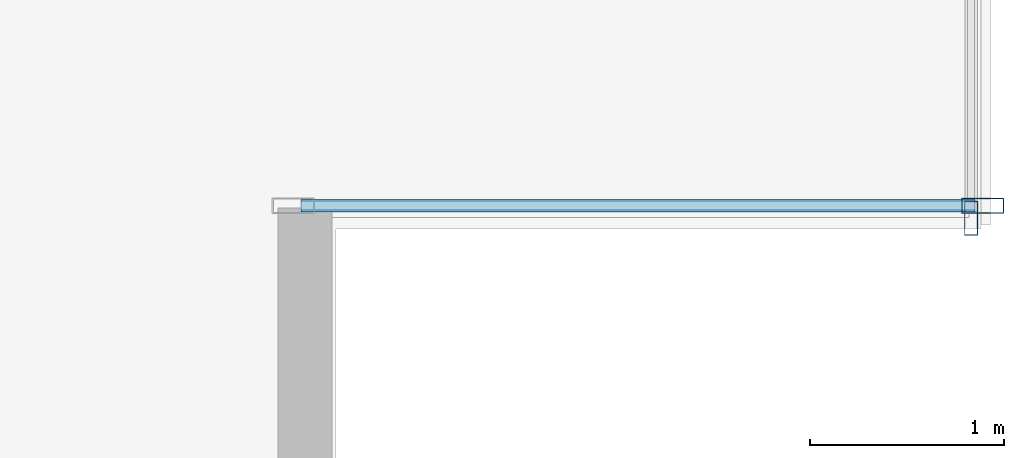
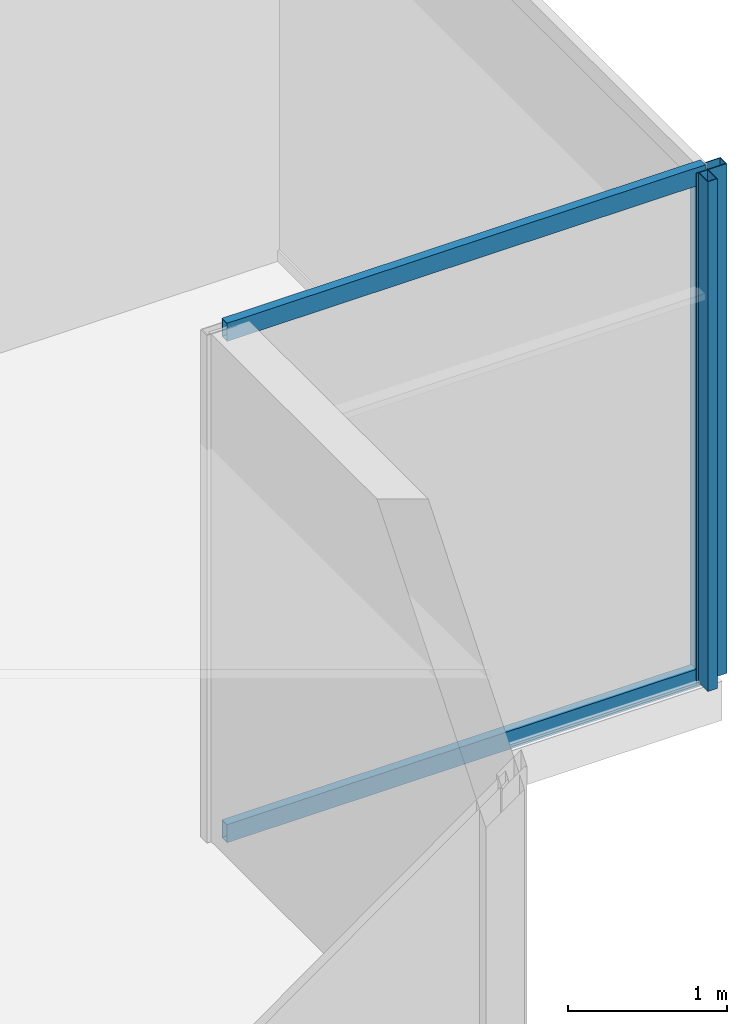
# One storey, part 15 of 34: 4 members, 2 elements without a shape of their own.
"""IFC4 building model written with IfcOpenShell, lengths in metres."""

import ifcopenshell
import ifcopenshell.guid

model = None  # the IFC model being written
_history = None  # IfcOwnerHistory: only IFC2X3 demands one
_inside = {}  # id of a spatial element -> (the spatial element, [elements in it])
_under = {}  # id of a project, library or spatial element -> (it, [spatial elements below it])
_declared = {}  # id of a project -> (the project, [libraries it declares])
_typed = {}  # id of a type object -> (the type object, [elements of that type])
_made_of = {}  # id of a material, layer set ... -> (it, [elements and type objects made of it])


def new_model(schema):
    """Start an empty IFC model of exactly this schema.

    Asked for "IFC4X3", IfcOpenShell would pick the latest addendum, in which some entities
    have other attributes; the version numbers below select the first issue.
    IFC2X3 requires an IfcOwnerHistory on every rooted entity: one is made here for all.
    """
    global model, _history
    if schema == "IFC4X3":
        model = ifcopenshell.file(schema_version=(4, 3, 0, 0))
    else:
        model = ifcopenshell.file(schema=schema)
    _inside.clear()
    _under.clear()
    _declared.clear()
    _typed.clear()
    _made_of.clear()
    _history = None
    if model.schema == "IFC2X3":
        org = make("IfcOrganization", Name="unknown")
        user = make(
            "IfcPersonAndOrganization",
            ThePerson=make("IfcPerson", FamilyName="unknown"),
            TheOrganization=org,
        )
        app = make(
            "IfcApplication",
            ApplicationDeveloper=org,
            Version="unknown",
            ApplicationFullName="unknown",
            ApplicationIdentifier="unknown",
        )
        _history = make(
            "IfcOwnerHistory",
            OwningUser=user,
            OwningApplication=app,
            ChangeAction="ADDED",
            CreationDate=0,
        )
    return model


def make(cls, **values):
    """One entity of the class cls with the attributes given. An attribute that is None is left unset."""
    return model.create_entity(
        cls, **{name: value for name, value in values.items() if value is not None}
    )


def rooted(cls, **values):
    """An entity with a GlobalId (a new one), such as an element, a storey or a relation."""
    return make(cls, GlobalId=ifcopenshell.guid.new(), OwnerHistory=_history, **values)


def si_unit(unit_type, name, prefix=None):
    """IfcSIUnit, for example si_unit("LENGTHUNIT", "METRE", prefix="MILLI")."""
    return make("IfcSIUnit", UnitType=unit_type, Prefix=prefix, Name=name)


def assignment(units):
    """IfcUnitAssignment: the units of a project."""
    return None if units is None else make("IfcUnitAssignment", Units=units)


def point(xyz):
    """IfcCartesianPoint."""
    return None if xyz is None else make("IfcCartesianPoint", Coordinates=xyz)


def direction(xyz):
    """IfcDirection."""
    return None if xyz is None else make("IfcDirection", DirectionRatios=xyz)


def frame(location, z_axis=None, x_axis=None):
    """IfcAxis2Placement3D, a coordinate frame: its origin and axes. An axis left out is left unset."""
    return make(
        "IfcAxis2Placement3D",
        Location=point(location),
        Axis=direction(z_axis),
        RefDirection=direction(x_axis),
    )


def frame_2d(location, x_axis=None):
    """IfcAxis2Placement2D, a coordinate frame in the plane: its origin and x axis."""
    return make(
        "IfcAxis2Placement2D", Location=point(location), RefDirection=direction(x_axis)
    )


def origin():
    """The frame at (0, 0, 0) with its axes left unset."""
    return frame((0.0, 0.0, 0.0))


def origin_2d():
    """The frame at (0, 0) in the plane with its x axis left unset."""
    return frame_2d((0.0, 0.0))


def place(relative_to, where):
    """IfcLocalPlacement: puts the frame where relative to a parent placement (None: the world)."""
    return make(
        "IfcLocalPlacement", PlacementRelTo=relative_to, RelativePlacement=where
    )


def context(
    kind, dimensions, precision=None, world=None, true_north=None, identifier=None
):
    """IfcGeometricRepresentationContext, for example the 3D "Model" context."""
    return make(
        "IfcGeometricRepresentationContext",
        ContextIdentifier=identifier,
        ContextType=kind,
        CoordinateSpaceDimension=dimensions,
        Precision=precision,
        WorldCoordinateSystem=world,
        TrueNorth=true_north,
    )


def subcontext(parent, identifier, kind, view, scale=None):
    """IfcGeometricRepresentationSubContext, for example "Body" below "Model"."""
    return make(
        "IfcGeometricRepresentationSubContext",
        ContextIdentifier=identifier,
        ContextType=kind,
        ParentContext=parent,
        TargetScale=scale,
        TargetView=view,
    )


def project(units=None, contexts=None):
    """IfcProject with its units and contexts."""
    return rooted(
        "IfcProject",
        Name="project",
        RepresentationContexts=contexts,
        UnitsInContext=assignment(units),
    )


def spatial(cls, under=None, at=None, **own):
    """A site, building, storey or space (cls), placed at a placement, below another one or the project."""
    s = rooted(cls, ObjectPlacement=at, **own)
    if under is not None:
        _under.setdefault(under.id(), (under, []))[1].append(s)
    return s


def profile(cls, at=None, kind="AREA", **sizes):
    """A parametric profile (cls). Its sizes go by their IFC names, for example OverallWidth=200.0."""
    return make(cls, ProfileType=kind, Position=at, **sizes)


def hollow_rectangle(**sizes):
    """IfcRectangleHollowProfileDef."""
    return profile("IfcRectangleHollowProfileDef", **sizes)


def extrude(swept, where, along, depth):
    """IfcExtrudedAreaSolid: the profile swept, set in the frame where, extruded along a direction by depth."""
    return make(
        "IfcExtrudedAreaSolid",
        SweptArea=swept,
        Position=where,
        ExtrudedDirection=direction(along),
        Depth=depth,
    )


def shape(context_of_items, identifier, shape_type, items):
    """IfcShapeRepresentation: the items that make up one representation, for example the "Body"."""
    return make(
        "IfcShapeRepresentation",
        ContextOfItems=context_of_items,
        RepresentationIdentifier=identifier,
        RepresentationType=shape_type,
        Items=items,
    )


def source(mapping_origin, context_of_items, identifier, shape_type, items):
    """IfcRepresentationMap: a shape defined once, which mapped items show again and again."""
    return make(
        "IfcRepresentationMap",
        MappingOrigin=mapping_origin,
        MappedRepresentation=shape(context_of_items, identifier, shape_type, items),
    )


def transform(
    local_origin,
    x_axis=None,
    y_axis=None,
    z_axis=None,
    scale=None,
    scale2=None,
    scale3=None,
    uniform=True,
):
    """IfcCartesianTransformationOperator3D, or its non-uniform kind. x_axis, y_axis, z_axis: its Axis1, 2, 3."""
    if uniform:
        return make(
            "IfcCartesianTransformationOperator3D",
            Axis1=direction(x_axis),
            Axis2=direction(y_axis),
            LocalOrigin=point(local_origin),
            Scale=scale,
            Axis3=direction(z_axis),
        )
    return make(
        "IfcCartesianTransformationOperator3DnonUniform",
        Axis1=direction(x_axis),
        Axis2=direction(y_axis),
        LocalOrigin=point(local_origin),
        Scale=scale,
        Axis3=direction(z_axis),
        Scale2=scale2,
        Scale3=scale3,
    )


def mapped(mapping_source, mapping_target):
    """IfcMappedItem: shows the shape of a source again, moved by a transform."""
    return make(
        "IfcMappedItem", MappingSource=mapping_source, MappingTarget=mapping_target
    )


def material(Name=None, Category=None):
    """IfcMaterial."""
    return make("IfcMaterial", Name=Name, Category=Category)


def layer(
    of_material, thickness, ventilated=None, Name=None, Category=None, Priority=None
):
    """IfcMaterialLayer: one layer of a wall or slab, of a material (None: an air gap)."""
    return make(
        "IfcMaterialLayer",
        Material=of_material,
        LayerThickness=thickness,
        IsVentilated=ventilated,
        Name=Name,
        Category=Category,
        Priority=Priority,
    )


def layer_set(layers, Name=None):
    """IfcMaterialLayerSet."""
    return make("IfcMaterialLayerSet", MaterialLayers=layers, LayerSetName=Name)


def material_profile(
    of_material, cross_section, Name=None, Category=None, Priority=None
):
    """IfcMaterialProfile: a cross section and its material."""
    return make(
        "IfcMaterialProfile",
        Name=Name,
        Material=of_material,
        Profile=cross_section,
        Priority=Priority,
        Category=Category,
    )


def profile_set(profiles, Name=None, composite=None):
    """IfcMaterialProfileSet."""
    return make(
        "IfcMaterialProfileSet",
        Name=Name,
        MaterialProfiles=profiles,
        CompositeProfile=composite,
    )


def made_of(thing, what):
    """Note that an element or type object is made of a material, layer set ...; save() writes the relation."""
    if what is not None:
        _made_of.setdefault(what.id(), (what, []))[1].append(thing)
    return thing


def type_object(cls, material=None, **own):
    """A type object (cls), such as IfcWallType, which elements share."""
    return made_of(rooted(cls, **own), material)


def type_shapes(of_type, sources):
    """Give a type object the sources (RepresentationMaps) that its elements show as mapped items."""
    of_type.RepresentationMaps = sources


def element(
    cls,
    number,
    at=None,
    inside=None,
    cuts=None,
    type_object=None,
    material=None,
    context=None,
    identifier="Body",
    shape_type=None,
    held_by="IfcProductDefinitionShape",
    body=None,
    shapes=None,
    **own,
):
    """One element of the class cls, such as IfcWall. Its Tag is "e" and its number.

    at: its placement. inside: the storey or other place that contains it. cuts: it is an
    opening in that element (IfcRelVoidsElement). A single representation is given by context,
    identifier, shape_type and body (its items); several are given by shapes. held_by: the class
    of the entity that holds the representations. save() writes the other relations.
    """
    e = rooted(cls, Tag="e%d" % number, ObjectPlacement=at, **own)
    if body is not None:
        shapes = [shape(context, identifier, shape_type, body)]
    if shapes is not None:
        e.Representation = make(held_by, Representations=shapes)
    if inside is not None:
        _inside.setdefault(inside.id(), (inside, []))[1].append(e)
    if cuts is not None:
        rooted(
            "IfcRelVoidsElement", RelatingBuildingElement=cuts, RelatedOpeningElement=e
        )
    if type_object is not None:
        _typed.setdefault(type_object.id(), (type_object, []))[1].append(e)
    return made_of(e, material)


def aggregate(whole, parts):
    """IfcRelAggregates: a whole, such as a stair, and the parts it consists of."""
    return rooted("IfcRelAggregates", RelatingObject=whole, RelatedObjects=parts)


def save(model, path):
    """Write the relations noted so far, then the file.

    IfcRelAggregates (storeys below a building ...), IfcRelContainedInSpatialStructure (elements
    in a storey), IfcRelDefinesByType, IfcRelAssociatesMaterial and IfcRelDeclares: one each for
    every whole, place, type object, material and project.
    """
    for whole, parts in _under.values():
        aggregate(whole, parts)
    for where, things in _inside.values():
        rooted(
            "IfcRelContainedInSpatialStructure",
            RelatedElements=things,
            RelatingStructure=where,
        )
    for kind, things in _typed.values():
        rooted("IfcRelDefinesByType", RelatedObjects=things, RelatingType=kind)
    for what, things in _made_of.values():
        rooted("IfcRelAssociatesMaterial", RelatedObjects=things, RelatingMaterial=what)
    for by, libraries in _declared.values():
        rooted("IfcRelDeclares", RelatingContext=by, RelatedDefinitions=libraries)
    model.write(path)


model = new_model("IFC4")

# Units and contexts
model_context = context("Model", 3, precision=1e-05, world=origin(), true_north=direction((0.0, 1.0)))
body_context = subcontext(model_context, "Body", "Model", "MODEL_VIEW")
ifc_project = project(units=[si_unit("LENGTHUNIT", "METRE"), si_unit("AREAUNIT", "SQUARE_METRE"), si_unit("VOLUMEUNIT", "CUBIC_METRE"), si_unit("PLANEANGLEUNIT", "RADIAN"), si_unit("MASSUNIT", "GRAM", prefix="KILO")], contexts=[model_context])

# Site, building, storey
site_placement = place(None, origin())
site = spatial("IfcSite", under=ifc_project, at=site_placement, CompositionType="ELEMENT")
building_placement = place(site_placement, origin())
building = spatial("IfcBuilding", under=site, at=building_placement, Name="Haelvirn Gate Laboratories", CompositionType="ELEMENT")
storey_placement = place(building_placement, frame((0.0, 0.0, 322.800048828125)))
storey = spatial("IfcBuildingStorey", under=building, at=storey_placement, Name="L77", CompositionType="ELEMENT", Elevation=322.800048828125)

# Curtain wall, members
ifc_material_1 = material(Name="Anodised bronze unitised aluminium & triple low-E glass", Category="aluminium")
ifc_layer_1 = layer(ifc_material_1, 0.181884765625, Name="CW-SYS-5")
ifc_layer_set_1 = layer_set([ifc_layer_1], Name="Anodised bronze unitised aluminium & triple low-E glass")
curtain_wall_type_1 = type_object("IfcCurtainWallType", Name="CW-SYS-5", PredefinedType="NOTDEFINED", material=ifc_layer_set_1)
curtain_wall_1_placement = place(storey_placement, origin())
curtain_wall_1 = element("IfcCurtainWall", 1, at=curtain_wall_1_placement, inside=storey, type_object=curtain_wall_type_1, Name="L77 Unitised Curtain Wall CW-L77-P0-E06-1", PredefinedType="NOTDEFINED")
ifc_material_2 = material(Name="Extruded aluminium 6063-T6 (anodised bronze)", Category="aluminium")
ifc_material_profile_1 = material_profile(ifc_material_2, hollow_rectangle(XDim=0.06494140625, YDim=0.139892578125, WallThickness=0.00390625, at=origin_2d()), Name="CWT-140x65x4")
ifc_profile_set_1 = profile_set([ifc_material_profile_1], Name="Extruded aluminium 6063-T6 (anodised bronze)")
member_type_1 = type_object("IfcMemberType", Name="CWT-T140", PredefinedType="USERDEFINED", material=ifc_profile_set_1)
shared_shape_1 = source(origin(), body_context, "Body", "SweptSolid", [
    extrude(hollow_rectangle(XDim=0.06494140625, YDim=0.139892578125, WallThickness=0.00390625, at=origin_2d()), origin(), (0.0, 0.0, 1.0), 3.47998046875),
])
type_shapes(member_type_1, [shared_shape_1])
member_1_placement = place(storey_placement, frame((65.43994140625, 7.199951171875, 0.032470703125), z_axis=(1.0, 0.0, 0.0), x_axis=(0.0, 1.0, 0.0)))
member_1 = element("IfcMember", 2, at=member_1_placement, type_object=member_type_1, Name="CW5 transom 1.1", ObjectType="TRANSOM", PredefinedType="USERDEFINED", context=body_context, shape_type="MappedRepresentation", body=[
    mapped(shared_shape_1, transform((0.0, 0.0, 0.0), scale=1.0)),
])
member_2_placement = place(storey_placement, frame((65.43994140625, 7.199951171875, 3.887451171875), z_axis=(1.0, 0.0, 0.0), x_axis=(0.0, 1.0, 0.0)))
member_2 = element("IfcMember", 3, at=member_2_placement, type_object=member_type_1, Name="CW5 transom 1.2", ObjectType="TRANSOM", PredefinedType="USERDEFINED", context=body_context, shape_type="MappedRepresentation", body=[
    mapped(shared_shape_1, transform((0.0, 0.0, 0.0), scale=1.0)),
])

# Curtain wall, member
ifc_layer_2 = layer(ifc_material_1, 0.176025390625, Name="CW-SYS-4")
ifc_layer_set_2 = layer_set([ifc_layer_2], Name="Anodised bronze unitised aluminium & triple low-E glass")
curtain_wall_type_2 = type_object("IfcCurtainWallType", Name="CW-SYS-4", PredefinedType="NOTDEFINED", material=ifc_layer_set_2)
curtain_wall_2_placement = place(storey_placement, origin())
curtain_wall_2 = element("IfcCurtainWall", 4, at=curtain_wall_2_placement, inside=storey, type_object=curtain_wall_type_2, Name="L77 Unitised Curtain Wall CW-L77-P0-E07", PredefinedType="NOTDEFINED")
ifc_material_profile_2 = material_profile(ifc_material_2, hollow_rectangle(XDim=0.070068359375, YDim=0.179931640625, WallThickness=0.0048828125, at=origin_2d()), Name="CWM-180x70x5")
ifc_profile_set_2 = profile_set([ifc_material_profile_2], Name="Extruded aluminium 6063-T6 (anodised bronze)")
member_type_2 = type_object("IfcMemberType", Name="CWM-T180", PredefinedType="MULLION", material=ifc_profile_set_2)
shared_shape_2 = source(origin(), body_context, "Body", "SweptSolid", [
    extrude(hollow_rectangle(XDim=0.070068359375, YDim=0.179931640625, WallThickness=0.0048828125, at=origin_2d()), origin(), (0.0, 0.0, 1.0), 3.919921875),
])
type_shapes(member_type_2, [shared_shape_2])
member_3_placement = place(storey_placement, frame((68.89990234375, 7.135009765625, 0.0), z_axis=(0.0, 0.0, 1.0), x_axis=(-1.0, 0.0, 0.0)))
member_3 = element("IfcMember", 5, at=member_3_placement, type_object=member_type_2, Name="CW4 mullion 1", PredefinedType="MULLION", context=body_context, shape_type="MappedRepresentation", body=[
    mapped(shared_shape_2, transform((0.0, 0.0, 0.0), scale=1.0)),
])
aggregate(curtain_wall_2, [member_3])

# Member
ifc_material_profile_3 = material_profile(ifc_material_2, hollow_rectangle(XDim=0.080078125, YDim=0.219970703125, WallThickness=0.006103515625, at=origin_2d()), Name="CWM-220x80x6")
ifc_profile_set_3 = profile_set([ifc_material_profile_3], Name="Extruded aluminium 6063-T6 (anodised bronze)")
member_type_3 = type_object("IfcMemberType", Name="CWM-T220", PredefinedType="MULLION", material=ifc_profile_set_3)
shared_shape_3 = source(origin(), body_context, "Body", "SweptSolid", [
    extrude(hollow_rectangle(XDim=0.080078125, YDim=0.219970703125, WallThickness=0.006103515625, at=origin_2d()), origin(), (0.0, 0.0, 1.0), 3.919921875),
])
type_shapes(member_type_3, [shared_shape_3])
member_4_placement = place(storey_placement, frame((68.9599609375, 7.199951171875, 0.0), z_axis=(0.0, 0.0, 1.0), x_axis=(0.0, 1.0, 0.0)))
member_4 = element("IfcMember", 6, at=member_4_placement, type_object=member_type_3, Name="CW5 mullion 2", PredefinedType="MULLION", context=body_context, shape_type="MappedRepresentation", body=[
    mapped(shared_shape_3, transform((0.0, 0.0, 0.0), scale=1.0)),
])

aggregate(curtain_wall_1, [member_4, member_1, member_2])

save(model, "model.ifc")
